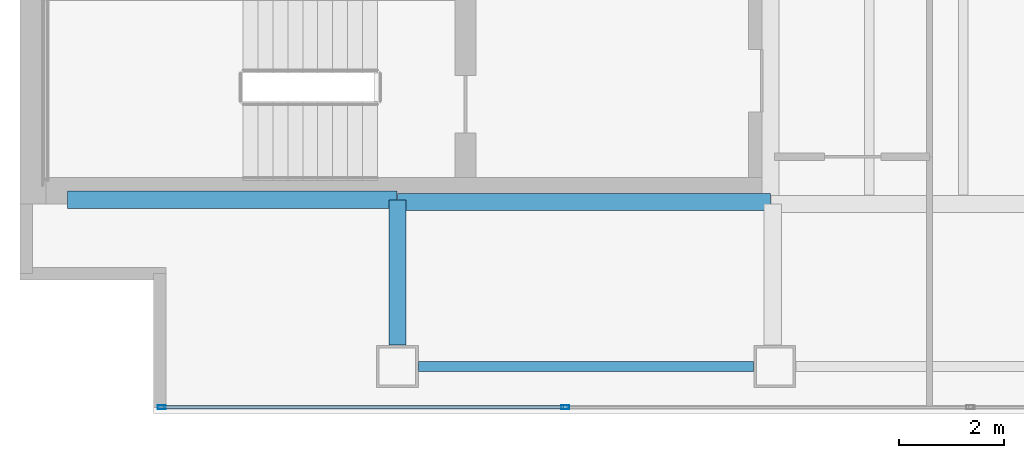
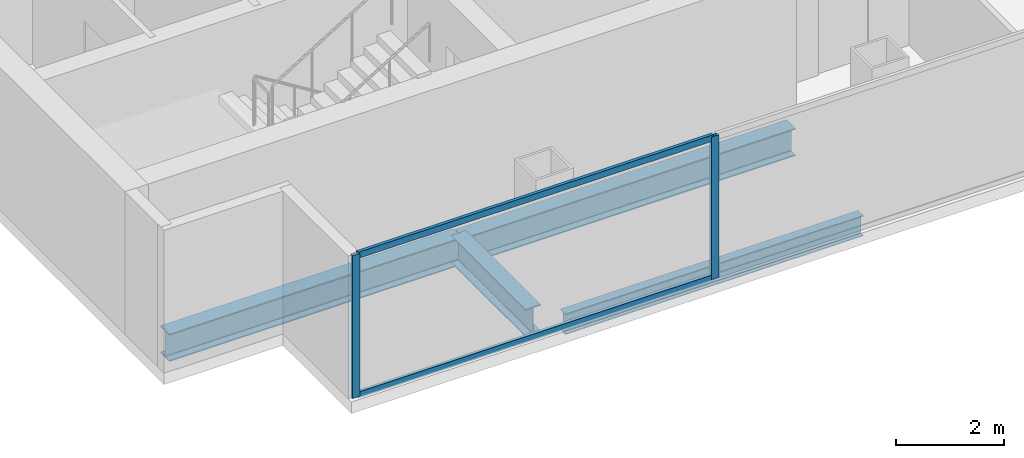
# One storey, part 2 of 23: 4 beams, 4 members, 1 element without a shape of its own.
"""IFC4 building model written with IfcOpenShell, lengths in metres."""

import ifcopenshell
import ifcopenshell.guid

model = None  # the IFC model being written
_history = None  # IfcOwnerHistory: only IFC2X3 demands one
_inside = {}  # id of a spatial element -> (the spatial element, [elements in it])
_under = {}  # id of a project, library or spatial element -> (it, [spatial elements below it])
_declared = {}  # id of a project -> (the project, [libraries it declares])
_typed = {}  # id of a type object -> (the type object, [elements of that type])
_made_of = {}  # id of a material, layer set ... -> (it, [elements and type objects made of it])


def new_model(schema):
    """Start an empty IFC model of exactly this schema.

    Asked for "IFC4X3", IfcOpenShell would pick the latest addendum, in which some entities
    have other attributes; the version numbers below select the first issue.
    IFC2X3 requires an IfcOwnerHistory on every rooted entity: one is made here for all.
    """
    global model, _history
    if schema == "IFC4X3":
        model = ifcopenshell.file(schema_version=(4, 3, 0, 0))
    else:
        model = ifcopenshell.file(schema=schema)
    _inside.clear()
    _under.clear()
    _declared.clear()
    _typed.clear()
    _made_of.clear()
    _history = None
    if model.schema == "IFC2X3":
        org = make("IfcOrganization", Name="unknown")
        user = make(
            "IfcPersonAndOrganization",
            ThePerson=make("IfcPerson", FamilyName="unknown"),
            TheOrganization=org,
        )
        app = make(
            "IfcApplication",
            ApplicationDeveloper=org,
            Version="unknown",
            ApplicationFullName="unknown",
            ApplicationIdentifier="unknown",
        )
        _history = make(
            "IfcOwnerHistory",
            OwningUser=user,
            OwningApplication=app,
            ChangeAction="ADDED",
            CreationDate=0,
        )
    return model


def make(cls, **values):
    """One entity of the class cls with the attributes given. An attribute that is None is left unset."""
    return model.create_entity(
        cls, **{name: value for name, value in values.items() if value is not None}
    )


def rooted(cls, **values):
    """An entity with a GlobalId (a new one), such as an element, a storey or a relation."""
    return make(cls, GlobalId=ifcopenshell.guid.new(), OwnerHistory=_history, **values)


def si_unit(unit_type, name, prefix=None):
    """IfcSIUnit, for example si_unit("LENGTHUNIT", "METRE", prefix="MILLI")."""
    return make("IfcSIUnit", UnitType=unit_type, Prefix=prefix, Name=name)


def assignment(units):
    """IfcUnitAssignment: the units of a project."""
    return None if units is None else make("IfcUnitAssignment", Units=units)


def point(xyz):
    """IfcCartesianPoint."""
    return None if xyz is None else make("IfcCartesianPoint", Coordinates=xyz)


def direction(xyz):
    """IfcDirection."""
    return None if xyz is None else make("IfcDirection", DirectionRatios=xyz)


def frame(location, z_axis=None, x_axis=None):
    """IfcAxis2Placement3D, a coordinate frame: its origin and axes. An axis left out is left unset."""
    return make(
        "IfcAxis2Placement3D",
        Location=point(location),
        Axis=direction(z_axis),
        RefDirection=direction(x_axis),
    )


def frame_2d(location, x_axis=None):
    """IfcAxis2Placement2D, a coordinate frame in the plane: its origin and x axis."""
    return make(
        "IfcAxis2Placement2D", Location=point(location), RefDirection=direction(x_axis)
    )


def origin():
    """The frame at (0, 0, 0) with its axes left unset."""
    return frame((0.0, 0.0, 0.0))


def origin_2d():
    """The frame at (0, 0) in the plane with its x axis left unset."""
    return frame_2d((0.0, 0.0))


def place(relative_to, where):
    """IfcLocalPlacement: puts the frame where relative to a parent placement (None: the world)."""
    return make(
        "IfcLocalPlacement", PlacementRelTo=relative_to, RelativePlacement=where
    )


def context(
    kind, dimensions, precision=None, world=None, true_north=None, identifier=None
):
    """IfcGeometricRepresentationContext, for example the 3D "Model" context."""
    return make(
        "IfcGeometricRepresentationContext",
        ContextIdentifier=identifier,
        ContextType=kind,
        CoordinateSpaceDimension=dimensions,
        Precision=precision,
        WorldCoordinateSystem=world,
        TrueNorth=true_north,
    )


def subcontext(parent, identifier, kind, view, scale=None):
    """IfcGeometricRepresentationSubContext, for example "Body" below "Model"."""
    return make(
        "IfcGeometricRepresentationSubContext",
        ContextIdentifier=identifier,
        ContextType=kind,
        ParentContext=parent,
        TargetScale=scale,
        TargetView=view,
    )


def project(units=None, contexts=None):
    """IfcProject with its units and contexts."""
    return rooted(
        "IfcProject",
        Name="project",
        RepresentationContexts=contexts,
        UnitsInContext=assignment(units),
    )


def spatial(cls, under=None, at=None, **own):
    """A site, building, storey or space (cls), placed at a placement, below another one or the project."""
    s = rooted(cls, ObjectPlacement=at, **own)
    if under is not None:
        _under.setdefault(under.id(), (under, []))[1].append(s)
    return s


def profile(cls, at=None, kind="AREA", **sizes):
    """A parametric profile (cls). Its sizes go by their IFC names, for example OverallWidth=200.0."""
    return make(cls, ProfileType=kind, Position=at, **sizes)


def hollow_rectangle(**sizes):
    """IfcRectangleHollowProfileDef."""
    return profile("IfcRectangleHollowProfileDef", **sizes)


def i_section(**sizes):
    """IfcIShapeProfileDef."""
    return profile("IfcIShapeProfileDef", **sizes)


def extrude(swept, where, along, depth):
    """IfcExtrudedAreaSolid: the profile swept, set in the frame where, extruded along a direction by depth."""
    return make(
        "IfcExtrudedAreaSolid",
        SweptArea=swept,
        Position=where,
        ExtrudedDirection=direction(along),
        Depth=depth,
    )


def shape(context_of_items, identifier, shape_type, items):
    """IfcShapeRepresentation: the items that make up one representation, for example the "Body"."""
    return make(
        "IfcShapeRepresentation",
        ContextOfItems=context_of_items,
        RepresentationIdentifier=identifier,
        RepresentationType=shape_type,
        Items=items,
    )


def material(Name=None, Category=None):
    """IfcMaterial."""
    return make("IfcMaterial", Name=Name, Category=Category)


def material_profile(
    of_material, cross_section, Name=None, Category=None, Priority=None
):
    """IfcMaterialProfile: a cross section and its material."""
    return make(
        "IfcMaterialProfile",
        Name=Name,
        Material=of_material,
        Profile=cross_section,
        Priority=Priority,
        Category=Category,
    )


def profile_set(profiles, Name=None, composite=None):
    """IfcMaterialProfileSet."""
    return make(
        "IfcMaterialProfileSet",
        Name=Name,
        MaterialProfiles=profiles,
        CompositeProfile=composite,
    )


def made_of(thing, what):
    """Note that an element or type object is made of a material, layer set ...; save() writes the relation."""
    if what is not None:
        _made_of.setdefault(what.id(), (what, []))[1].append(thing)
    return thing


def type_object(cls, material=None, **own):
    """A type object (cls), such as IfcWallType, which elements share."""
    return made_of(rooted(cls, **own), material)


def element(
    cls,
    number,
    at=None,
    inside=None,
    cuts=None,
    type_object=None,
    material=None,
    context=None,
    identifier="Body",
    shape_type=None,
    held_by="IfcProductDefinitionShape",
    body=None,
    shapes=None,
    **own,
):
    """One element of the class cls, such as IfcWall. Its Tag is "e" and its number.

    at: its placement. inside: the storey or other place that contains it. cuts: it is an
    opening in that element (IfcRelVoidsElement). A single representation is given by context,
    identifier, shape_type and body (its items); several are given by shapes. held_by: the class
    of the entity that holds the representations. save() writes the other relations.
    """
    e = rooted(cls, Tag="e%d" % number, ObjectPlacement=at, **own)
    if body is not None:
        shapes = [shape(context, identifier, shape_type, body)]
    if shapes is not None:
        e.Representation = make(held_by, Representations=shapes)
    if inside is not None:
        _inside.setdefault(inside.id(), (inside, []))[1].append(e)
    if cuts is not None:
        rooted(
            "IfcRelVoidsElement", RelatingBuildingElement=cuts, RelatedOpeningElement=e
        )
    if type_object is not None:
        _typed.setdefault(type_object.id(), (type_object, []))[1].append(e)
    return made_of(e, material)


def aggregate(whole, parts):
    """IfcRelAggregates: a whole, such as a stair, and the parts it consists of."""
    return rooted("IfcRelAggregates", RelatingObject=whole, RelatedObjects=parts)


def save(model, path):
    """Write the relations noted so far, then the file.

    IfcRelAggregates (storeys below a building ...), IfcRelContainedInSpatialStructure (elements
    in a storey), IfcRelDefinesByType, IfcRelAssociatesMaterial and IfcRelDeclares: one each for
    every whole, place, type object, material and project.
    """
    for whole, parts in _under.values():
        aggregate(whole, parts)
    for where, things in _inside.values():
        rooted(
            "IfcRelContainedInSpatialStructure",
            RelatedElements=things,
            RelatingStructure=where,
        )
    for kind, things in _typed.values():
        rooted("IfcRelDefinesByType", RelatedObjects=things, RelatingType=kind)
    for what, things in _made_of.values():
        rooted("IfcRelAssociatesMaterial", RelatedObjects=things, RelatingMaterial=what)
    for by, libraries in _declared.values():
        rooted("IfcRelDeclares", RelatingContext=by, RelatedDefinitions=libraries)
    model.write(path)


model = new_model("IFC4")

# Units and contexts
model_context = context("Model", 3, precision=1e-05, world=origin(), true_north=direction((0.0, 1.0)))
body_context = subcontext(model_context, "Body", "Model", "MODEL_VIEW")
ifc_project = project(units=[si_unit("LENGTHUNIT", "METRE"), si_unit("AREAUNIT", "SQUARE_METRE"), si_unit("VOLUMEUNIT", "CUBIC_METRE"), si_unit("PLANEANGLEUNIT", "RADIAN"), si_unit("MASSUNIT", "GRAM", prefix="KILO")], contexts=[model_context])

# Site, building, storey
site_placement = place(None, origin())
site = spatial("IfcSite", under=ifc_project, at=site_placement, CompositionType="ELEMENT")
building_placement = place(site_placement, origin())
building = spatial("IfcBuilding", under=site, at=building_placement, Name="Cobrela Telecom Tower", CompositionType="ELEMENT")
storey_placement = place(building_placement, frame((0.0, 0.0, 194.25)))
storey = spatial("IfcBuildingStorey", under=building, at=storey_placement, Name="L49", CompositionType="ELEMENT", Elevation=194.25)

# Beams
ifc_material_1 = material(Name="Steel ASTM A992 Grade 50", Category="steel")
ifc_material_profile_1 = material_profile(ifc_material_1, i_section(OverallWidth=0.327880859375, OverallDepth=0.6220703125, WebThickness=0.015380859375, FlangeThickness=0.0244140625, FilletRadius=0.014892578125, at=origin_2d()), Name="W24X131")
ifc_profile_set_1 = profile_set([ifc_material_profile_1], Name="Steel ASTM A992 Grade 50")
beam_type_1 = type_object("IfcBeamType", Name="BM-GIRD-06", PredefinedType="USERDEFINED", material=ifc_profile_set_1)
beam_1_placement = place(storey_placement, frame((0.905029296875, 7.280029296875, -0.571044921875), z_axis=(1.0, 0.0, 0.0), x_axis=(0.0, 1.0, 0.0)))
element("IfcBeam", 1, at=beam_1_placement, inside=storey, type_object=beam_type_1, Name="L49 Primary Girder X05", ObjectType="GIRDER", PredefinedType="USERDEFINED", context=body_context, shape_type="SweptSolid", body=[
    extrude(i_section(OverallWidth=0.327880859375, OverallDepth=0.6220703125, WebThickness=0.015380859375, FlangeThickness=0.0244140625, FilletRadius=0.014892578125, at=origin_2d()), origin(), (0.0, 0.0, 1.0), 6.2900390625),
])
beam_2_placement = place(storey_placement, frame((7.205078125, 7.239990234375, -0.571044921875), z_axis=(1.0, 0.0, 0.0), x_axis=(0.0, 1.0, 0.0)))
element("IfcBeam", 2, at=beam_2_placement, inside=storey, type_object=beam_type_1, Name="L49 Primary Girder X06", ObjectType="GIRDER", PredefinedType="USERDEFINED", context=body_context, shape_type="SweptSolid", body=[
    extrude(i_section(OverallWidth=0.327880859375, OverallDepth=0.6220703125, WebThickness=0.015380859375, FlangeThickness=0.0244140625, FilletRadius=0.014892578125, at=origin_2d()), origin(), (0.0, 0.0, 1.0), 7.10986328125),
])
beam_3_placement = place(storey_placement, frame((7.199951171875, 4.5048828125, -0.571044921875), z_axis=(0.0, 1.0, 0.0), x_axis=(-1.0, 0.0, 0.0)))
element("IfcBeam", 3, at=beam_3_placement, inside=storey, type_object=beam_type_1, Name="L49 Primary Girder Y24", ObjectType="GIRDER", PredefinedType="USERDEFINED", context=body_context, shape_type="SweptSolid", body=[
    extrude(i_section(OverallWidth=0.327880859375, OverallDepth=0.6220703125, WebThickness=0.015380859375, FlangeThickness=0.0244140625, FilletRadius=0.014892578125, at=origin_2d()), origin(), (0.0, 0.0, 1.0), 2.77001953125),
])
ifc_material_profile_2 = material_profile(ifc_material_1, i_section(OverallWidth=0.193115234375, OverallDepth=0.467041015625, WebThickness=0.011474609375, FlangeThickness=0.01904296875, FilletRadius=0.012939453125, at=origin_2d()), Name="W18X65")
ifc_profile_set_2 = profile_set([ifc_material_profile_2], Name="Steel ASTM A992 Grade 50")
beam_type_2 = type_object("IfcBeamType", Name="BM-SPAND-05", PredefinedType="SPANDREL", material=ifc_profile_set_2)
beam_4_placement = place(storey_placement, frame((7.60498046875, 4.10009765625, -0.493408203125), z_axis=(1.0, 0.0, 0.0), x_axis=(0.0, 1.0, 0.0)))
element("IfcBeam", 4, at=beam_4_placement, inside=storey, type_object=beam_type_2, Name="L49 Perimeter Spandrel X01", PredefinedType="SPANDREL", context=body_context, shape_type="SweptSolid", body=[
    extrude(i_section(OverallWidth=0.193115234375, OverallDepth=0.467041015625, WebThickness=0.011474609375, FlangeThickness=0.01904296875, FilletRadius=0.012939453125, at=origin_2d()), origin(), (0.0, 0.0, 1.0), 6.39013671875),
])

# Curtain wall, members
ifc_material_2 = material(Name="Anodized Bronze Aluminium 6063-T6", Category="aluminium")
curtain_wall_type = type_object("IfcCurtainWallType", Name="CW-SYS-OFF-LO", PredefinedType="USERDEFINED", material=ifc_material_2)
curtain_wall_placement = place(storey_placement, origin())
curtain_wall = element("IfcCurtainWall", 5, at=curtain_wall_placement, inside=storey, type_object=curtain_wall_type, Name="L49 Unitised Bronze Curtain Wall 17", ObjectType="UNITISED CURTAIN WALL", PredefinedType="USERDEFINED")
ifc_material_profile_3 = material_profile(ifc_material_2, hollow_rectangle(XDim=0.070068359375, YDim=0.159912109375, WallThickness=0.00390625, at=origin_2d()), Name="ALU 70x160x4")
ifc_profile_set_3 = profile_set([ifc_material_profile_3], Name="Anodized Bronze Aluminium 6063-T6")
member_type_1 = type_object("IfcMemberType", Name="CW-SYS-OFF-LO-MUL", PredefinedType="MULLION", material=ifc_profile_set_3)
member_1_placement = place(storey_placement, frame((10.402099609375, 3.320068359375, 0.0), z_axis=(0.0, 0.0, 1.0), x_axis=(0.0, -1.0, 0.0)))
member_1 = element("IfcMember", 6, at=member_1_placement, type_object=member_type_1, Name="CW-OFF-LO mullion 5", PredefinedType="MULLION", context=body_context, shape_type="SweptSolid", body=[
    extrude(hollow_rectangle(XDim=0.070068359375, YDim=0.159912109375, WallThickness=0.00390625, at=origin_2d()), origin(), (0.0, 0.0, 1.0), 3.239990234375),
])
member_2_placement = place(storey_placement, frame((2.705078125, 3.320068359375, 0.0), z_axis=(0.0, 0.0, 1.0), x_axis=(0.0, -1.0, 0.0)))
member_2 = element("IfcMember", 7, at=member_2_placement, type_object=member_type_1, Name="CW-OFF-LO mullion 6", PredefinedType="MULLION", context=body_context, shape_type="SweptSolid", body=[
    extrude(hollow_rectangle(XDim=0.070068359375, YDim=0.159912109375, WallThickness=0.00390625, at=origin_2d()), origin(), (0.0, 0.0, 1.0), 3.239990234375),
])
ifc_material_profile_4 = material_profile(ifc_material_2, hollow_rectangle(XDim=0.070068359375, YDim=0.139892578125, WallThickness=0.00390625, at=origin_2d()), Name="ALU 70x140x4")
ifc_profile_set_4 = profile_set([ifc_material_profile_4], Name="Anodized Bronze Aluminium 6063-T6")
member_type_2 = type_object("IfcMemberType", Name="CW-SYS-OFF-LO-TRN", PredefinedType="USERDEFINED", material=ifc_profile_set_4)
member_3_placement = place(storey_placement, frame((10.366943359375, 3.320068359375, 0.034912109375), z_axis=(-1.0, 0.0, 0.0), x_axis=(0.0, -1.0, 0.0)))
member_3 = element("IfcMember", 8, at=member_3_placement, type_object=member_type_2, Name="CW-OFF-LO transom 5.1", ObjectType="TRANSOM", PredefinedType="USERDEFINED", context=body_context, shape_type="SweptSolid", body=[
    extrude(hollow_rectangle(XDim=0.070068359375, YDim=0.139892578125, WallThickness=0.00390625, at=origin_2d()), origin(), (0.0, 0.0, 1.0), 7.626953125),
])
member_4_placement = place(storey_placement, frame((10.366943359375, 3.320068359375, 3.205078125), z_axis=(-1.0, 0.0, 0.0), x_axis=(0.0, -1.0, 0.0)))
member_4 = element("IfcMember", 9, at=member_4_placement, type_object=member_type_2, Name="CW-OFF-LO transom 5.2", ObjectType="TRANSOM", PredefinedType="USERDEFINED", context=body_context, shape_type="SweptSolid", body=[
    extrude(hollow_rectangle(XDim=0.070068359375, YDim=0.139892578125, WallThickness=0.00390625, at=origin_2d()), origin(), (0.0, 0.0, 1.0), 7.626953125),
])
aggregate(curtain_wall, [member_1, member_2, member_3, member_4])

save(model, "model.ifc")
